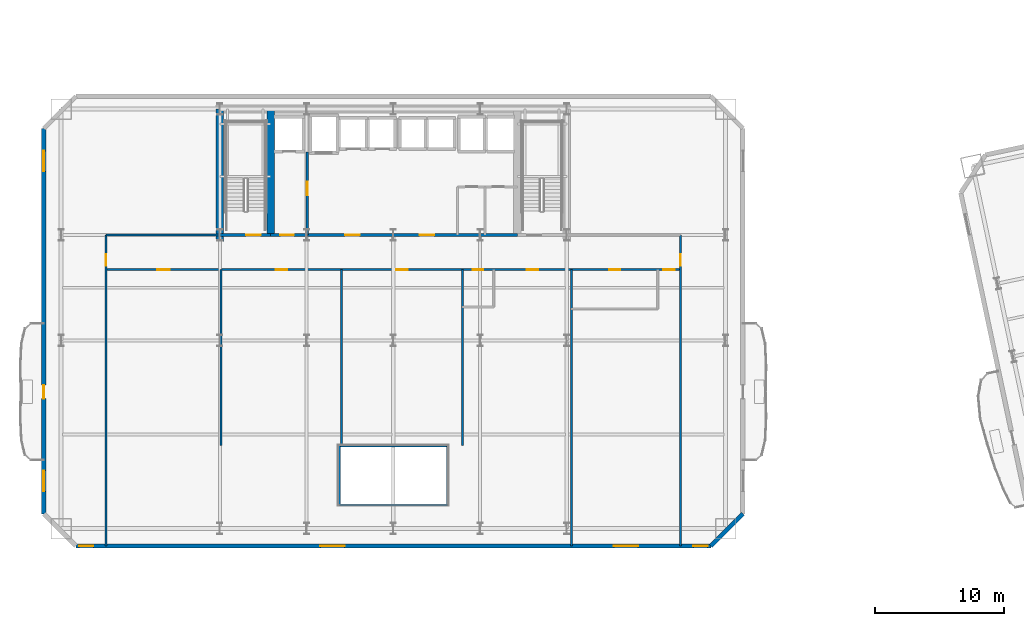
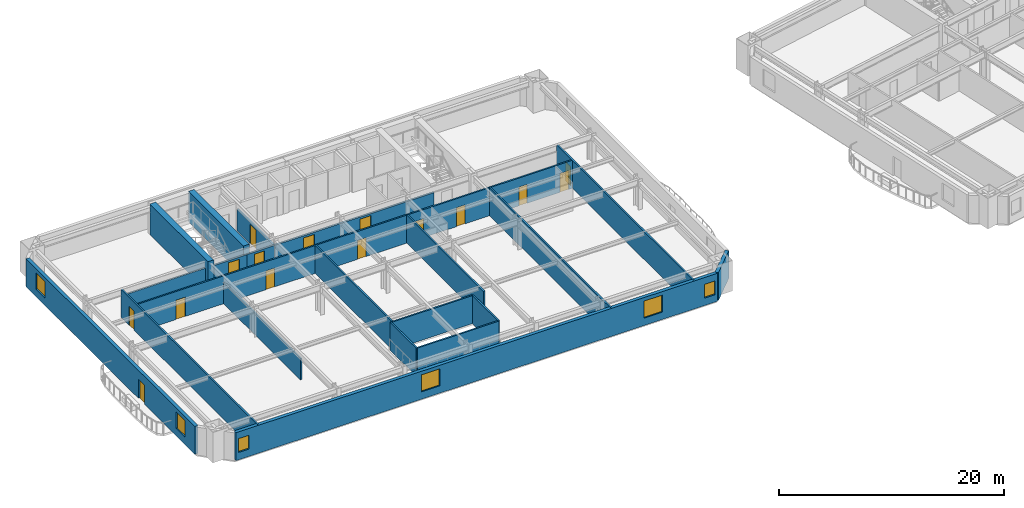
# One storey, part 5 of 16: 21 walls, 15 doors, 6 windows, 21 openings.
"""IFC4 building model written with IfcOpenShell, lengths in metres."""

from ifc_helpers import new_model, si_unit, direction, frame, frame_2d, origin, place, context, subcontext, project, spatial, rectangle, extrude, material, layer, layer_set, type_object, element, fill, save


model = new_model("IFC4")

# Units and contexts
model_context = context("Model", 3, precision=1e-05, world=origin(), true_north=direction((0.0, 1.0)))
body_context = subcontext(model_context, "Body", "Model", "MODEL_VIEW")
ifc_project = project(units=[si_unit("LENGTHUNIT", "METRE"), si_unit("AREAUNIT", "SQUARE_METRE"), si_unit("VOLUMEUNIT", "CUBIC_METRE"), si_unit("PLANEANGLEUNIT", "RADIAN"), si_unit("MASSUNIT", "GRAM", prefix="KILO")], contexts=[model_context])

# Site, building, storey
site_placement = place(None, origin())
site = spatial("IfcSite", under=ifc_project, at=site_placement, CompositionType="ELEMENT")
building_placement = place(site_placement, origin())
building = spatial("IfcBuilding", under=site, at=building_placement, Name="Haevon Station Towers", CompositionType="ELEMENT")
storey_placement = place(building_placement, frame((0.0, 0.0, 43.800048828125)))
storey = spatial("IfcBuildingStorey", under=building, at=storey_placement, Name="L10", CompositionType="ELEMENT", Elevation=43.800048828125)

# Wall, opening, door
ifc_material_1 = material(Name="Gypsum board on steel stud", Category="steel")
ifc_layer_1 = layer(ifc_material_1, 0.199951171875)
ifc_layer_set_1 = layer_set([ifc_layer_1], Name="Gypsum board on steel stud")
wall_type_1 = type_object("IfcWallType", Name="WL-COR200", PredefinedType="PARTITIONING", material=ifc_layer_set_1)
wall_1_placement = place(storey_placement, frame((24.0, 38.199951171875, 0.0), z_axis=(0.0, 0.0, 1.0), x_axis=(1.0, 0.0, 0.0)))
wall_1 = element("IfcWall", 1, at=wall_1_placement, inside=storey, type_object=wall_type_1, Name="WL-ST-ST1-L10", PredefinedType="PARTITIONING", context=body_context, shape_type="SweptSolid", body=[
    extrude(rectangle(XDim=3.949951171875, YDim=0.199951171875, at=frame_2d((1.97509765625, 0.0))), origin(), (0.0, 0.0, 1.0), 2.329833984375),
])
opening_1_placement = place(wall_1_placement, frame((2.050048828125, 0.0, 0.0)))
opening_1 = element("IfcOpeningElement", 2, at=opening_1_placement, cuts=wall_1, Name="Opening DR-ST-ST1-L10", PredefinedType="OPENING", context=body_context, shape_type="SweptSolid", body=[
    extrude(rectangle(XDim=1.1201171875, YDim=2.10009765625, at=frame_2d((0.56005859375, 1.050048828125))), frame((0.0, 0.10986328125, 0.0), z_axis=(0.0, -1.0, 0.0), x_axis=(1.0, 0.0, 0.0)), (0.0, 0.0, 1.0), 0.219970703125),
])
ifc_material_2 = material(Name="Engineered oak timber", Category="wood")
door_type_1 = type_object("IfcDoorType", Name="DR-ST-1120", OperationType="NOTDEFINED", PredefinedType="DOOR", material=ifc_material_2)
door_1_placement = place(opening_1_placement, origin())
door_1 = element("IfcDoor", 3, at=door_1_placement, inside=storey, type_object=door_type_1, Name="L10 Escape Stair ST1 Fire Door", OperationType="SINGLE_SWING_RIGHT", OverallHeight=2.10009765625, OverallWidth=1.1201171875, PredefinedType="DOOR", context=body_context, shape_type="SweptSolid", body=[
    extrude(rectangle(XDim=1.1201171875, YDim=2.10009765625, at=frame_2d((0.56005859375, 1.050048828125))), frame((0.0, 0.02490234375, 0.0), z_axis=(0.0, -1.0, 0.0), x_axis=(1.0, 0.0, 0.0)), (0.0, 0.0, 1.0), 0.050048828125),
])
fill(opening_1, door_1)

wall_2_placement = place(storey_placement, frame((30.800048828125, 38.199951171875, 0.0), z_axis=(0.0, 0.0, 1.0), x_axis=(0.0, 1.0, 0.0)))
wall_2 = element("IfcWall", 4, at=wall_2_placement, inside=storey, type_object=wall_type_1, Name="WL-T1FFL-L10-E", PredefinedType="PARTITIONING", context=body_context, shape_type="SweptSolid", body=[
    extrude(rectangle(XDim=6.449951171875, YDim=0.199951171875, at=frame_2d((3.22509765625, 0.0))), origin(), (0.0, 0.0, 1.0), 2.329833984375),
])
opening_2_placement = place(wall_2_placement, frame((3.10009765625, 0.0, 0.0)))
opening_2 = element("IfcOpeningElement", 5, at=opening_2_placement, cuts=wall_2, Name="Opening DR-T1FFL-L10-E", PredefinedType="OPENING", context=body_context, shape_type="SweptSolid", body=[
    extrude(rectangle(XDim=1.050048828125, YDim=2.10009765625, at=frame_2d((0.52490234375, 1.050048828125))), frame((0.0, 0.10986328125, 0.0), z_axis=(0.0, -1.0, 0.0), x_axis=(1.0, 0.0, 0.0)), (0.0, 0.0, 1.0), 0.219970703125),
])
door_type_2 = type_object("IfcDoorType", Name="DR-FD60-1050", OperationType="NOTDEFINED", PredefinedType="DOOR", material=ifc_material_2)
door_2_placement = place(opening_2_placement, origin())
door_2 = element("IfcDoor", 6, at=door_2_placement, inside=storey, type_object=door_type_2, Name="L10 Tower 1 Firefighting Lift Lobby Door E", OperationType="SINGLE_SWING_RIGHT", OverallHeight=2.10009765625, OverallWidth=1.050048828125, PredefinedType="DOOR", context=body_context, shape_type="SweptSolid", body=[
    extrude(rectangle(XDim=1.050048828125, YDim=2.10009765625, at=frame_2d((0.52490234375, 1.050048828125))), frame((0.0, 0.02490234375, 0.0), z_axis=(0.0, -1.0, 0.0), x_axis=(1.0, 0.0, 0.0)), (0.0, 0.0, 1.0), 0.050048828125),
])
fill(opening_2, door_2)

wall_3_placement = place(storey_placement, frame((27.949951171875, 38.199951171875, 0.0), z_axis=(0.0, 0.0, 1.0), x_axis=(1.0, 0.0, 0.0)))
wall_3 = element("IfcWall", 7, at=wall_3_placement, inside=storey, type_object=wall_type_1, Name="WL-T1FFL-L10-S", PredefinedType="PARTITIONING", context=body_context, shape_type="SweptSolid", body=[
    extrude(rectangle(XDim=2.85009765625, YDim=0.199951171875, at=frame_2d((1.425048828125, 0.0))), origin(), (0.0, 0.0, 1.0), 2.329833984375),
])
opening_3_placement = place(wall_3_placement, frame((0.75, 0.0, 0.0)))
opening_3 = element("IfcOpeningElement", 8, at=opening_3_placement, cuts=wall_3, Name="Opening DR-T1FFL-L10-S", PredefinedType="OPENING", context=body_context, shape_type="SweptSolid", body=[
    extrude(rectangle(XDim=1.050048828125, YDim=2.10009765625, at=frame_2d((0.52490234375, 1.050048828125))), frame((0.0, 0.10986328125, 0.0), z_axis=(0.0, -1.0, 0.0), x_axis=(1.0, 0.0, 0.0)), (0.0, 0.0, 1.0), 0.219970703125),
])
door_3_placement = place(opening_3_placement, origin())
door_3 = element("IfcDoor", 9, at=door_3_placement, inside=storey, type_object=door_type_2, Name="L10 Tower 1 Firefighting Lift Lobby Door S", OperationType="SINGLE_SWING_LEFT", OverallHeight=2.10009765625, OverallWidth=1.050048828125, PredefinedType="DOOR", context=body_context, shape_type="SweptSolid", body=[
    extrude(rectangle(XDim=1.050048828125, YDim=2.10009765625, at=frame_2d((0.52490234375, 1.050048828125))), frame((0.0, 0.02490234375, 0.0), z_axis=(0.0, -1.0, 0.0), x_axis=(1.0, 0.0, 0.0)), (0.0, 0.0, 1.0), 0.050048828125),
])
fill(opening_3, door_3)

# Wall, openings, doors
wall_4_placement = place(storey_placement, frame((30.800048828125, 38.199951171875, 0.0), z_axis=(0.0, 0.0, 1.0), x_axis=(1.0, 0.0, 0.0)))
wall_4 = element("IfcWall", 10, at=wall_4_placement, inside=storey, type_object=wall_type_1, Name="WL-T1CLB-L10", PredefinedType="PARTITIONING", context=body_context, shape_type="SweptSolid", body=[
    extrude(rectangle(XDim=16.349853515625, YDim=0.199951171875, at=frame_2d((8.1748046875, 0.0))), origin(), (0.0, 0.0, 1.0), 2.329833984375),
])
opening_4_placement = place(wall_4_placement, frame((2.949951171875, 0.0, 0.0)))
opening_4 = element("IfcOpeningElement", 11, at=opening_4_placement, cuts=wall_4, Name="Opening DR-T1CLB-L10-1", PredefinedType="OPENING", context=body_context, shape_type="SweptSolid", body=[
    extrude(rectangle(XDim=1.1201171875, YDim=2.10009765625, at=frame_2d((0.56005859375, 1.050048828125))), frame((0.0, 0.10986328125, 0.0), z_axis=(0.0, -1.0, 0.0), x_axis=(1.0, 0.0, 0.0)), (0.0, 0.0, 1.0), 0.219970703125),
])
opening_5_placement = place(wall_4_placement, frame((8.75, 0.0, 0.0)))
opening_5 = element("IfcOpeningElement", 12, at=opening_5_placement, cuts=wall_4, Name="Opening DR-T1CLB-L10-2", PredefinedType="OPENING", context=body_context, shape_type="SweptSolid", body=[
    extrude(rectangle(XDim=1.1201171875, YDim=2.10009765625, at=frame_2d((0.56005859375, 1.050048828125))), frame((0.0, 0.10986328125, 0.0), z_axis=(0.0, -1.0, 0.0), x_axis=(1.0, 0.0, 0.0)), (0.0, 0.0, 1.0), 0.219970703125),
])
door_4_placement = place(opening_4_placement, origin())
door_4 = element("IfcDoor", 13, at=door_4_placement, inside=storey, type_object=door_type_1, Name="L10 Tower 1 Core Lift Lobby Door 1", OperationType="SINGLE_SWING_RIGHT", OverallHeight=2.10009765625, OverallWidth=1.1201171875, PredefinedType="DOOR", context=body_context, shape_type="SweptSolid", body=[
    extrude(rectangle(XDim=1.1201171875, YDim=2.10009765625, at=frame_2d((0.56005859375, 1.050048828125))), frame((0.0, 0.02490234375, 0.0), z_axis=(0.0, -1.0, 0.0), x_axis=(1.0, 0.0, 0.0)), (0.0, 0.0, 1.0), 0.050048828125),
])
fill(opening_4, door_4)
door_5_placement = place(opening_5_placement, origin())
door_5 = element("IfcDoor", 14, at=door_5_placement, inside=storey, type_object=door_type_1, Name="L10 Tower 1 Core Lift Lobby Door 2", OperationType="SINGLE_SWING_LEFT", OverallHeight=2.10009765625, OverallWidth=1.1201171875, PredefinedType="DOOR", context=body_context, shape_type="SweptSolid", body=[
    extrude(rectangle(XDim=1.1201171875, YDim=2.10009765625, at=frame_2d((0.56005859375, 1.050048828125))), frame((0.0, 0.02490234375, 0.0), z_axis=(0.0, -1.0, 0.0), x_axis=(1.0, 0.0, 0.0)), (0.0, 0.0, 1.0), 0.050048828125),
])
fill(opening_5, door_5)

# Walls
ifc_material_3 = material(Name="Concrete C60/75", Category="concrete")
ifc_layer_2 = layer(ifc_material_3, 0.60009765625)
ifc_layer_set_2 = layer_set([ifc_layer_2], Name="Concrete C60/75")
wall_type_2 = type_object("IfcWallType", Name="WL-CR600", PredefinedType="SHEAR", material=ifc_layer_set_2)
wall_5_placement = place(storey_placement, frame((24.0, 37.679931640625, 0.0), z_axis=(0.0, 0.0, 1.0), x_axis=(0.0, 1.0, 0.0)))
element("IfcWall", 15, at=wall_5_placement, inside=storey, type_object=wall_type_2, Name="WL-T1CR-L10-W", PredefinedType="SHEAR", context=body_context, shape_type="SweptSolid", body=[
    extrude(rectangle(XDim=10.320068359375, YDim=0.60009765625, at=frame_2d((5.16015625, 0.0))), origin(), (0.0, 0.0, 1.0), 3.300048828125),
])
wall_6_placement = place(storey_placement, frame((27.949951171875, 38.199951171875, 0.0), z_axis=(0.0, 0.0, 1.0), x_axis=(0.0, 1.0, 0.0)))
element("IfcWall", 16, at=wall_6_placement, inside=storey, type_object=wall_type_2, Name="WL-T1CR-L10-M1", PredefinedType="SHEAR", context=body_context, shape_type="SweptSolid", body=[
    extrude(rectangle(XDim=9.800048828125, YDim=0.60009765625, at=frame_2d((4.89990234375, 0.0))), origin(), (0.0, 0.0, 1.0), 3.300048828125),
])

# Wall, openings, windows
ifc_material_4 = material(Name="Precast concrete C45/55", Category="concrete")
ifc_layer_3 = layer(ifc_material_4, 0.340087890625)
ifc_layer_set_3 = layer_set([ifc_layer_3], Name="Precast concrete C45/55")
wall_type_3 = type_object("IfcWallType", Name="WL-EXT-PIER340", PredefinedType="SOLIDWALL", material=ifc_layer_set_3)
wall_7_placement = place(storey_placement, frame((62.199951171875, 14.0, 0.0), z_axis=(0.0, 0.0, 1.0), x_axis=(-1.0, 0.0, 0.0)))
wall_7 = element("IfcWall", 17, at=wall_7_placement, inside=storey, type_object=wall_type_3, Name="WL-T1-L10-S", PredefinedType="SOLIDWALL", context=body_context, shape_type="SweptSolid", body=[
    extrude(rectangle(XDim=49.39990234375, YDim=0.340087890625, at=frame_2d((24.699951171875, 0.0))), origin(), (0.0, 0.0, 1.0), 3.030029296875),
])
opening_6_placement = place(wall_7_placement, frame((48.050048828125, 0.0, 0.800048828125)))
opening_6 = element("IfcOpeningElement", 18, at=opening_6_placement, cuts=wall_7, Name="Opening WN-COR110", PredefinedType="OPENING", context=body_context, shape_type="SweptSolid", body=[
    extrude(rectangle(XDim=1.10009765625, YDim=1.5, at=frame_2d((0.550048828125, 0.75))), frame((0.0, 0.179931640625, 0.0), z_axis=(0.0, -1.0, 0.0), x_axis=(1.0, 0.0, 0.0)), (0.0, 0.0, 1.0), 0.360107421875),
])
opening_7_placement = place(wall_7_placement, frame((0.25, 0.0, 0.800048828125)))
opening_7 = element("IfcOpeningElement", 19, at=opening_7_placement, cuts=wall_7, Name="Opening WN-COR110", PredefinedType="OPENING", context=body_context, shape_type="SweptSolid", body=[
    extrude(rectangle(XDim=1.10009765625, YDim=1.5, at=frame_2d((0.550048828125, 0.75))), frame((0.0, 0.179931640625, 0.0), z_axis=(0.0, -1.0, 0.0), x_axis=(1.0, 0.0, 0.0)), (0.0, 0.0, 1.0), 0.360107421875),
])
opening_8_placement = place(wall_7_placement, frame((28.48486328125, 0.0, 0.800048828125)))
opening_8 = element("IfcOpeningElement", 20, at=opening_8_placement, cuts=wall_7, Name="Opening WN-P190", PredefinedType="OPENING", context=body_context, shape_type="SweptSolid", body=[
    extrude(rectangle(XDim=1.89990234375, YDim=1.85009765625, at=frame_2d((0.949951171875, 0.925048828125))), frame((0.0, 0.179931640625, 0.0), z_axis=(0.0, -1.0, 0.0), x_axis=(1.0, 0.0, 0.0)), (0.0, 0.0, 1.0), 0.360107421875),
])
opening_9_placement = place(wall_7_placement, frame((5.646484375, 0.0, 0.800048828125)))
opening_9 = element("IfcOpeningElement", 21, at=opening_9_placement, cuts=wall_7, Name="Opening WN-P190", PredefinedType="OPENING", context=body_context, shape_type="SweptSolid", body=[
    extrude(rectangle(XDim=1.89990234375, YDim=1.85009765625, at=frame_2d((0.949951171875, 0.925048828125))), frame((0.0, 0.179931640625, 0.0), z_axis=(0.0, -1.0, 0.0), x_axis=(1.0, 0.0, 0.0)), (0.0, 0.0, 1.0), 0.360107421875),
])
ifc_material_5 = material(Name="Low-E triple glazing in thermally broken aluminium", Category="aluminium")
window_type_1 = type_object("IfcWindowType", Name="WN-COR110", PartitioningType="SINGLE_PANEL", PredefinedType="WINDOW", material=ifc_material_5)
window_1_placement = place(opening_6_placement, origin())
window_1 = element("IfcWindow", 22, at=window_1_placement, inside=storey, type_object=window_type_1, Name="WN-T1-L10-S01", OverallHeight=1.5, OverallWidth=1.10009765625, PartitioningType="SINGLE_PANEL", PredefinedType="WINDOW", context=body_context, shape_type="SweptSolid", body=[
    extrude(rectangle(XDim=1.10009765625, YDim=1.5, at=frame_2d((0.550048828125, 0.75))), frame((0.0, 0.030029296875, 0.0), z_axis=(0.0, -1.0, 0.0), x_axis=(1.0, 0.0, 0.0)), (0.0, 0.0, 1.0), 0.06005859375),
])
fill(opening_6, window_1)
window_2_placement = place(opening_7_placement, origin())
window_2 = element("IfcWindow", 23, at=window_2_placement, inside=storey, type_object=window_type_1, Name="WN-T1-L10-S02", OverallHeight=1.5, OverallWidth=1.10009765625, PartitioningType="SINGLE_PANEL", PredefinedType="WINDOW", context=body_context, shape_type="SweptSolid", body=[
    extrude(rectangle(XDim=1.10009765625, YDim=1.5, at=frame_2d((0.550048828125, 0.75))), frame((0.0, 0.030029296875, 0.0), z_axis=(0.0, -1.0, 0.0), x_axis=(1.0, 0.0, 0.0)), (0.0, 0.0, 1.0), 0.06005859375),
])
fill(opening_7, window_2)
window_type_2 = type_object("IfcWindowType", Name="WN-P190", PartitioningType="SINGLE_PANEL", PredefinedType="WINDOW", material=ifc_material_5)
window_3_placement = place(opening_8_placement, origin())
window_3 = element("IfcWindow", 24, at=window_3_placement, inside=storey, type_object=window_type_2, Name="WN-T1-L10-S03", OverallHeight=1.85009765625, OverallWidth=1.89990234375, PartitioningType="SINGLE_PANEL", PredefinedType="WINDOW", context=body_context, shape_type="SweptSolid", body=[
    extrude(rectangle(XDim=1.89990234375, YDim=1.85009765625, at=frame_2d((0.949951171875, 0.925048828125))), frame((0.0, 0.030029296875, 0.0), z_axis=(0.0, -1.0, 0.0), x_axis=(1.0, 0.0, 0.0)), (0.0, 0.0, 1.0), 0.06005859375),
])
fill(opening_8, window_3)
window_4_placement = place(opening_9_placement, origin())
window_4 = element("IfcWindow", 25, at=window_4_placement, inside=storey, type_object=window_type_2, Name="WN-T1-L10-S04", OverallHeight=1.85009765625, OverallWidth=1.89990234375, PartitioningType="SINGLE_PANEL", PredefinedType="WINDOW", context=body_context, shape_type="SweptSolid", body=[
    extrude(rectangle(XDim=1.89990234375, YDim=1.85009765625, at=frame_2d((0.949951171875, 0.925048828125))), frame((0.0, 0.030029296875, 0.0), z_axis=(0.0, -1.0, 0.0), x_axis=(1.0, 0.0, 0.0)), (0.0, 0.0, 1.0), 0.06005859375),
])
fill(opening_9, window_4)

# Wall, openings, door, windows
wall_8_placement = place(storey_placement, frame((10.300048828125, 16.5, 0.0), z_axis=(0.0, 0.0, 1.0), x_axis=(0.0, 1.0, 0.0)))
wall_8 = element("IfcWall", 26, at=wall_8_placement, inside=storey, type_object=wall_type_3, Name="WL-T1-L10-W", PredefinedType="SOLIDWALL", context=body_context, shape_type="SweptSolid", body=[
    extrude(rectangle(XDim=30.0, YDim=0.340087890625, at=frame_2d((15.0, 0.0))), origin(), (0.0, 0.0, 1.0), 3.030029296875),
])
opening_10_placement = place(wall_8_placement, frame((8.97509765625, 0.0, 0.0)))
opening_10 = element("IfcOpeningElement", 27, at=opening_10_placement, cuts=wall_8, Name="Opening DR-T1-SCAL-L10-W", PredefinedType="OPENING", context=body_context, shape_type="SweptSolid", body=[
    extrude(rectangle(XDim=1.050048828125, YDim=2.10009765625, at=frame_2d((0.52490234375, 1.050048828125))), frame((0.0, 0.179931640625, 0.0), z_axis=(0.0, -1.0, 0.0), x_axis=(1.0, 0.0, 0.0)), (0.0, 0.0, 1.0), 0.360107421875),
])
opening_11_placement = place(wall_8_placement, frame((1.757080078125, 0.0, 0.800048828125)))
opening_11 = element("IfcOpeningElement", 28, at=opening_11_placement, cuts=wall_8, Name="Opening WN-END160", PredefinedType="OPENING", context=body_context, shape_type="SweptSolid", body=[
    extrude(rectangle(XDim=1.60009765625, YDim=1.800048828125, at=frame_2d((0.800048828125, 0.89990234375))), frame((0.0, 0.179931640625, 0.0), z_axis=(0.0, -1.0, 0.0), x_axis=(1.0, 0.0, 0.0)), (0.0, 0.0, 1.0), 0.360107421875),
])
opening_12_placement = place(wall_8_placement, frame((26.642822265625, 0.0, 0.800048828125)))
opening_12 = element("IfcOpeningElement", 29, at=opening_12_placement, cuts=wall_8, Name="Opening WN-END160", PredefinedType="OPENING", context=body_context, shape_type="SweptSolid", body=[
    extrude(rectangle(XDim=1.60009765625, YDim=1.800048828125, at=frame_2d((0.800048828125, 0.89990234375))), frame((0.0, 0.179931640625, 0.0), z_axis=(0.0, -1.0, 0.0), x_axis=(1.0, 0.0, 0.0)), (0.0, 0.0, 1.0), 0.360107421875),
])
ifc_material_6 = material(Name="Thermally broken anodised aluminium and laminated safety glass", Category="aluminium")
door_type_3 = type_object("IfcDoorType", Name="DR-BALC-1050", OperationType="NOTDEFINED", PredefinedType="DOOR", material=ifc_material_6)
door_6_placement = place(opening_10_placement, origin())
door_6 = element("IfcDoor", 30, at=door_6_placement, inside=storey, type_object=door_type_3, Name="Tower 1 L10 West Scalloped Balcony Door", OperationType="SINGLE_SWING_LEFT", OverallHeight=2.10009765625, OverallWidth=1.050048828125, PredefinedType="DOOR", context=body_context, shape_type="SweptSolid", body=[
    extrude(rectangle(XDim=1.050048828125, YDim=2.10009765625, at=frame_2d((0.52490234375, 1.050048828125))), frame((0.0, 0.02490234375, 0.0), z_axis=(0.0, -1.0, 0.0), x_axis=(1.0, 0.0, 0.0)), (0.0, 0.0, 1.0), 0.050048828125),
])
fill(opening_10, door_6)
window_type_3 = type_object("IfcWindowType", Name="WN-END160", PartitioningType="SINGLE_PANEL", PredefinedType="WINDOW", material=ifc_material_5)
window_5_placement = place(opening_11_placement, origin())
window_5 = element("IfcWindow", 31, at=window_5_placement, inside=storey, type_object=window_type_3, Name="WN-T1-L10-W01", OverallHeight=1.800048828125, OverallWidth=1.60009765625, PartitioningType="SINGLE_PANEL", PredefinedType="WINDOW", context=body_context, shape_type="SweptSolid", body=[
    extrude(rectangle(XDim=1.60009765625, YDim=1.800048828125, at=frame_2d((0.800048828125, 0.89990234375))), frame((0.0, 0.030029296875, 0.0), z_axis=(0.0, -1.0, 0.0), x_axis=(1.0, 0.0, 0.0)), (0.0, 0.0, 1.0), 0.06005859375),
])
fill(opening_11, window_5)
window_6_placement = place(opening_12_placement, origin())
window_6 = element("IfcWindow", 32, at=window_6_placement, inside=storey, type_object=window_type_3, Name="WN-T1-L10-W02", OverallHeight=1.800048828125, OverallWidth=1.60009765625, PartitioningType="SINGLE_PANEL", PredefinedType="WINDOW", context=body_context, shape_type="SweptSolid", body=[
    extrude(rectangle(XDim=1.60009765625, YDim=1.800048828125, at=frame_2d((0.800048828125, 0.89990234375))), frame((0.0, 0.030029296875, 0.0), z_axis=(0.0, -1.0, 0.0), x_axis=(1.0, 0.0, 0.0)), (0.0, 0.0, 1.0), 0.06005859375),
])
fill(opening_12, window_6)

# Walls
wall_9_placement = place(storey_placement, frame((64.699951171875, 16.5, 0.0), z_axis=(0.0, 0.0, 1.0), x_axis=(-0.707106781187, -0.707106781187, 0.0)))
element("IfcWall", 33, at=wall_9_placement, inside=storey, type_object=wall_type_3, Name="WL-T1-L10-SEC", PredefinedType="SOLIDWALL", context=body_context, shape_type="SweptSolid", body=[
    extrude(rectangle(XDim=3.53564453125, YDim=0.340087890625, at=frame_2d((1.767822265625, 0.0))), origin(), (0.0, 0.0, 1.0), 3.030029296875),
])
ifc_layer_4 = layer(ifc_material_1, 0.159912109375)
ifc_layer_set_4 = layer_set([ifc_layer_4], Name="Gypsum board on steel stud")
wall_type_4 = type_object("IfcWallType", Name="WL-PRT160", PredefinedType="PARTITIONING", material=ifc_layer_set_4)
wall_10_placement = place(storey_placement, frame((15.14990234375, 38.199951171875, 0.0), z_axis=(0.0, 0.0, 1.0), x_axis=(1.0, 0.0, 0.0)))
element("IfcWall", 34, at=wall_10_placement, inside=storey, type_object=wall_type_4, Name="WL-T1PT-L10-01", PredefinedType="PARTITIONING", context=body_context, shape_type="SweptSolid", body=[
    extrude(rectangle(XDim=8.85009765625, YDim=0.159912109375, at=frame_2d((4.425048828125, 0.0))), origin(), (0.0, 0.0, 1.0), 2.329833984375),
])

# Wall, opening, door
wall_11_placement = place(storey_placement, frame((15.14990234375, 14.0, 0.0), z_axis=(0.0, 0.0, 1.0), x_axis=(0.0, 1.0, 0.0)))
wall_11 = element("IfcWall", 35, at=wall_11_placement, inside=storey, type_object=wall_type_4, Name="WL-T1PT-L10-03", PredefinedType="PARTITIONING", context=body_context, shape_type="SweptSolid", body=[
    extrude(rectangle(XDim=24.199951171875, YDim=0.159912109375, at=frame_2d((12.10009765625, 0.0))), origin(), (0.0, 0.0, 1.0), 3.030029296875),
])
opening_13_placement = place(wall_11_placement, frame((21.820068359375, 0.0, 0.0)))
opening_13 = element("IfcOpeningElement", 36, at=opening_13_placement, cuts=wall_11, Name="Opening DR-WL-T1PT-L10-03-01", PredefinedType="OPENING", context=body_context, shape_type="SweptSolid", body=[
    extrude(rectangle(XDim=0.89990234375, YDim=2.050048828125, at=frame_2d((0.449951171875, 1.02490234375))), frame((0.0, 0.08984375, 0.0), z_axis=(0.0, -1.0, 0.0), x_axis=(1.0, 0.0, 0.0)), (0.0, 0.0, 1.0), 0.179931640625),
])
door_type_4 = type_object("IfcDoorType", Name="DR-INT-900", OperationType="NOTDEFINED", PredefinedType="DOOR", material=ifc_material_2)
door_7_placement = place(opening_13_placement, origin())
door_7 = element("IfcDoor", 37, at=door_7_placement, inside=storey, type_object=door_type_4, Name="L10 Tower 1 Room Door 3-1", OperationType="SINGLE_SWING_RIGHT", OverallHeight=2.050048828125, OverallWidth=0.89990234375, PredefinedType="DOOR", context=body_context, shape_type="SweptSolid", body=[
    extrude(rectangle(XDim=0.89990234375, YDim=2.050048828125, at=frame_2d((0.449951171875, 1.02490234375))), frame((0.0, 0.02490234375, 0.0), z_axis=(0.0, -1.0, 0.0), x_axis=(1.0, 0.0, 0.0)), (0.0, 0.0, 1.0), 0.050048828125),
])
fill(opening_13, door_7)

wall_12_placement = place(storey_placement, frame((59.85009765625, 14.0, 0.0), z_axis=(0.0, 0.0, 1.0), x_axis=(0.0, 1.0, 0.0)))
wall_12 = element("IfcWall", 38, at=wall_12_placement, inside=storey, type_object=wall_type_4, Name="WL-T1PT-L10-04", PredefinedType="PARTITIONING", context=body_context, shape_type="SweptSolid", body=[
    extrude(rectangle(XDim=24.199951171875, YDim=0.159912109375, at=frame_2d((12.10009765625, 0.0))), origin(), (0.0, 0.0, 1.0), 3.030029296875),
])
opening_14_placement = place(wall_12_placement, frame((21.820068359375, 0.0, 0.0)))
opening_14 = element("IfcOpeningElement", 39, at=opening_14_placement, cuts=wall_12, Name="Opening DR-WL-T1PT-L10-04-01", PredefinedType="OPENING", context=body_context, shape_type="SweptSolid", body=[
    extrude(rectangle(XDim=0.89990234375, YDim=2.050048828125, at=frame_2d((0.449951171875, 1.02490234375))), frame((0.0, 0.08984375, 0.0), z_axis=(0.0, -1.0, 0.0), x_axis=(1.0, 0.0, 0.0)), (0.0, 0.0, 1.0), 0.179931640625),
])
door_8_placement = place(opening_14_placement, origin())
door_8 = element("IfcDoor", 40, at=door_8_placement, inside=storey, type_object=door_type_4, Name="L10 Tower 1 Room Door 4-1", OperationType="SINGLE_SWING_LEFT", OverallHeight=2.050048828125, OverallWidth=0.89990234375, PredefinedType="DOOR", context=body_context, shape_type="SweptSolid", body=[
    extrude(rectangle(XDim=0.89990234375, YDim=2.050048828125, at=frame_2d((0.449951171875, 1.02490234375))), frame((0.0, 0.02490234375, 0.0), z_axis=(0.0, -1.0, 0.0), x_axis=(1.0, 0.0, 0.0)), (0.0, 0.0, 1.0), 0.050048828125),
])
fill(opening_14, door_8)

# Walls
for number, where, z_axis, x_axis, name in (
    (41, (33.300048828125, 17.199951171875, 0.0), (0.0, 0.0, 1.0), (1.0, 0.0, 0.0), "WL-T1PT-L10-05"),
    (42, (33.300048828125, 21.800048828125, 0.0), (0.0, 0.0, 1.0), (1.0, 0.0, 0.0), "WL-T1PT-L10-06"),
):
    element("IfcWall", number, at=place(storey_placement, frame(where, z_axis=z_axis, x_axis=x_axis)), inside=storey, type_object=wall_type_4, Name=name, PredefinedType="PARTITIONING", context=body_context, shape_type="SweptSolid", body=[
        extrude(rectangle(XDim=8.39990234375, YDim=0.159912109375, at=frame_2d((4.199951171875, 0.0))), origin(), (0.0, 0.0, 1.0), 3.030029296875),
    ])
for number, where, z_axis, x_axis, name in (
    (43, (33.300048828125, 17.199951171875, 0.0), (0.0, 0.0, 1.0), (0.0, 1.0, 0.0), "WL-T1PT-L10-07"),
    (44, (41.699951171875, 17.199951171875, 0.0), (0.0, 0.0, 1.0), (0.0, 1.0, 0.0), "WL-T1PT-L10-08"),
):
    element("IfcWall", number, at=place(storey_placement, frame(where, z_axis=z_axis, x_axis=x_axis)), inside=storey, type_object=wall_type_4, Name=name, PredefinedType="PARTITIONING", context=body_context, shape_type="SweptSolid", body=[
        extrude(rectangle(XDim=4.60009765625, YDim=0.159912109375, at=frame_2d((2.300048828125, 0.0))), origin(), (0.0, 0.0, 1.0), 3.030029296875),
    ])
wall_13_placement = place(storey_placement, frame((24.090087890625, 21.800048828125, 0.0), z_axis=(0.0, 0.0, 1.0), x_axis=(0.0, 1.0, 0.0)))
element("IfcWall", 45, at=wall_13_placement, inside=storey, type_object=wall_type_4, Name="WL-T1PT-L10-09", PredefinedType="PARTITIONING", context=body_context, shape_type="SweptSolid", body=[
    extrude(rectangle(XDim=13.699951171875, YDim=0.159912109375, at=frame_2d((6.85009765625, 0.0))), origin(), (0.0, 0.0, 1.0), 2.329833984375),
])
for number, where, z_axis, x_axis, name in (
    (46, (33.47705078125, 21.800048828125, 0.0), (0.0, 0.0, 1.0), (0.0, 1.0, 0.0), "WL-T1PT-L10-10"),
    (47, (42.864013671875, 21.800048828125, 0.0), (0.0, 0.0, 1.0), (0.0, 1.0, 0.0), "WL-T1PT-L10-12"),
):
    element("IfcWall", number, at=place(storey_placement, frame(where, z_axis=z_axis, x_axis=x_axis)), inside=storey, type_object=wall_type_4, Name=name, PredefinedType="PARTITIONING", context=body_context, shape_type="SweptSolid", body=[
        extrude(rectangle(XDim=13.699951171875, YDim=0.159912109375, at=frame_2d((6.85009765625, 0.0))), origin(), (0.0, 0.0, 1.0), 3.030029296875),
    ])
wall_14_placement = place(storey_placement, frame((51.35693359375, 14.0, 0.0), z_axis=(0.0, 0.0, 1.0), x_axis=(0.0, 1.0, 0.0)))
element("IfcWall", 48, at=wall_14_placement, inside=storey, type_object=wall_type_4, Name="WL-T1PT-L10-16", PredefinedType="PARTITIONING", context=body_context, shape_type="SweptSolid", body=[
    extrude(rectangle(XDim=21.5, YDim=0.159912109375, at=frame_2d((10.75, 0.0))), origin(), (0.0, 0.0, 1.0), 3.030029296875),
])

# Wall, openings, doors
wall_15_placement = place(storey_placement, frame((15.14990234375, 35.5, 0.0), z_axis=(0.0, 0.0, 1.0), x_axis=(1.0, 0.0, 0.0)))
wall_15 = element("IfcWall", 49, at=wall_15_placement, inside=storey, type_object=wall_type_4, Name="WL-T1PT-L10-19", PredefinedType="PARTITIONING", context=body_context, shape_type="SweptSolid", body=[
    extrude(rectangle(XDim=44.7001953125, YDim=0.159912109375, at=frame_2d((22.35009765625, 0.0))), origin(), (0.0, 0.0, 1.0), 3.030029296875),
])
opening_15_placement = place(wall_15_placement, frame((3.9951171875, 0.0, 0.0)))
opening_15 = element("IfcOpeningElement", 50, at=opening_15_placement, cuts=wall_15, Name="Opening DR-WL-T1PT-L10-19-01", PredefinedType="OPENING", context=body_context, shape_type="SweptSolid", body=[
    extrude(rectangle(XDim=0.949951171875, YDim=2.10009765625, at=frame_2d((0.47509765625, 1.050048828125))), frame((0.0, 0.08984375, 0.0), z_axis=(0.0, -1.0, 0.0), x_axis=(1.0, 0.0, 0.0)), (0.0, 0.0, 1.0), 0.179931640625),
])
opening_16_placement = place(wall_15_placement, frame((13.18310546875, 0.0, 0.0)))
opening_16 = element("IfcOpeningElement", 51, at=opening_16_placement, cuts=wall_15, Name="Opening DR-WL-T1PT-L10-19-02", PredefinedType="OPENING", context=body_context, shape_type="SweptSolid", body=[
    extrude(rectangle(XDim=0.89990234375, YDim=2.050048828125, at=frame_2d((0.449951171875, 1.02490234375))), frame((0.0, 0.08984375, 0.0), z_axis=(0.0, -1.0, 0.0), x_axis=(1.0, 0.0, 0.0)), (0.0, 0.0, 1.0), 0.179931640625),
])
opening_17_placement = place(wall_15_placement, frame((22.570068359375, 0.0, 0.0)))
opening_17 = element("IfcOpeningElement", 52, at=opening_17_placement, cuts=wall_15, Name="Opening DR-WL-T1PT-L10-19-03", PredefinedType="OPENING", context=body_context, shape_type="SweptSolid", body=[
    extrude(rectangle(XDim=0.89990234375, YDim=2.050048828125, at=frame_2d((0.449951171875, 1.02490234375))), frame((0.0, 0.08984375, 0.0), z_axis=(0.0, -1.0, 0.0), x_axis=(1.0, 0.0, 0.0)), (0.0, 0.0, 1.0), 0.179931640625),
])
opening_18_placement = place(wall_15_placement, frame((28.513916015625, 0.0, 0.0)))
opening_18 = element("IfcOpeningElement", 53, at=opening_18_placement, cuts=wall_15, Name="Opening DR-WL-T1PT-L10-19-04", PredefinedType="OPENING", context=body_context, shape_type="SweptSolid", body=[
    extrude(rectangle(XDim=0.85009765625, YDim=2.050048828125, at=frame_2d((0.425048828125, 1.02490234375))), frame((0.0, 0.08984375, 0.0), z_axis=(0.0, -1.0, 0.0), x_axis=(1.0, 0.0, 0.0)), (0.0, 0.0, 1.0), 0.179931640625),
])
opening_19_placement = place(wall_15_placement, frame((32.735107421875, 0.0, 0.0)))
opening_19 = element("IfcOpeningElement", 54, at=opening_19_placement, cuts=wall_15, Name="Opening DR-WL-T1PT-L10-19-05", PredefinedType="OPENING", context=body_context, shape_type="SweptSolid", body=[
    extrude(rectangle(XDim=0.89990234375, YDim=2.050048828125, at=frame_2d((0.449951171875, 1.02490234375))), frame((0.0, 0.08984375, 0.0), z_axis=(0.0, -1.0, 0.0), x_axis=(1.0, 0.0, 0.0)), (0.0, 0.0, 1.0), 0.179931640625),
])
opening_20_placement = place(wall_15_placement, frame((39.138916015625, 0.0, 0.0)))
opening_20 = element("IfcOpeningElement", 55, at=opening_20_placement, cuts=wall_15, Name="Opening DR-WL-T1PT-L10-19-06", PredefinedType="OPENING", context=body_context, shape_type="SweptSolid", body=[
    extrude(rectangle(XDim=0.85009765625, YDim=2.050048828125, at=frame_2d((0.425048828125, 1.02490234375))), frame((0.0, 0.08984375, 0.0), z_axis=(0.0, -1.0, 0.0), x_axis=(1.0, 0.0, 0.0)), (0.0, 0.0, 1.0), 0.179931640625),
])
opening_21_placement = place(wall_15_placement, frame((43.360107421875, 0.0, 0.0)))
opening_21 = element("IfcOpeningElement", 56, at=opening_21_placement, cuts=wall_15, Name="Opening DR-WL-T1PT-L10-19-07", PredefinedType="OPENING", context=body_context, shape_type="SweptSolid", body=[
    extrude(rectangle(XDim=0.89990234375, YDim=2.050048828125, at=frame_2d((0.449951171875, 1.02490234375))), frame((0.0, 0.08984375, 0.0), z_axis=(0.0, -1.0, 0.0), x_axis=(1.0, 0.0, 0.0)), (0.0, 0.0, 1.0), 0.179931640625),
])
door_type_5 = type_object("IfcDoorType", Name="DR-FD30-850", OperationType="NOTDEFINED", PredefinedType="DOOR", material=ifc_material_2)
door_9_placement = place(opening_18_placement, origin())
door_9 = element("IfcDoor", 57, at=door_9_placement, inside=storey, type_object=door_type_5, Name="L10 Tower 1 Room Door 19-4", OperationType="SINGLE_SWING_LEFT", OverallHeight=2.050048828125, OverallWidth=0.85009765625, PredefinedType="DOOR", context=body_context, shape_type="SweptSolid", body=[
    extrude(rectangle(XDim=0.85009765625, YDim=2.050048828125, at=frame_2d((0.425048828125, 1.02490234375))), frame((0.0, 0.02490234375, 0.0), z_axis=(0.0, -1.0, 0.0), x_axis=(1.0, 0.0, 0.0)), (0.0, 0.0, 1.0), 0.050048828125),
])
fill(opening_18, door_9)
door_10_placement = place(opening_20_placement, origin())
door_10 = element("IfcDoor", 58, at=door_10_placement, inside=storey, type_object=door_type_5, Name="L10 Tower 1 Room Door 19-6", OperationType="SINGLE_SWING_LEFT", OverallHeight=2.050048828125, OverallWidth=0.85009765625, PredefinedType="DOOR", context=body_context, shape_type="SweptSolid", body=[
    extrude(rectangle(XDim=0.85009765625, YDim=2.050048828125, at=frame_2d((0.425048828125, 1.02490234375))), frame((0.0, 0.02490234375, 0.0), z_axis=(0.0, -1.0, 0.0), x_axis=(1.0, 0.0, 0.0)), (0.0, 0.0, 1.0), 0.050048828125),
])
fill(opening_20, door_10)
door_type_6 = type_object("IfcDoorType", Name="DR-FD30-950", OperationType="NOTDEFINED", PredefinedType="DOOR", material=ifc_material_2)
door_11_placement = place(opening_15_placement, origin())
door_11 = element("IfcDoor", 59, at=door_11_placement, inside=storey, type_object=door_type_6, Name="L10 Tower 1 Room Door 19-1", OperationType="SINGLE_SWING_RIGHT", OverallHeight=2.10009765625, OverallWidth=0.949951171875, PredefinedType="DOOR", context=body_context, shape_type="SweptSolid", body=[
    extrude(rectangle(XDim=0.949951171875, YDim=2.10009765625, at=frame_2d((0.47509765625, 1.050048828125))), frame((0.0, 0.02490234375, 0.0), z_axis=(0.0, -1.0, 0.0), x_axis=(1.0, 0.0, 0.0)), (0.0, 0.0, 1.0), 0.050048828125),
])
fill(opening_15, door_11)
door_12_placement = place(opening_16_placement, origin())
door_12 = element("IfcDoor", 60, at=door_12_placement, inside=storey, type_object=door_type_4, Name="L10 Tower 1 Room Door 19-2", OperationType="SINGLE_SWING_LEFT", OverallHeight=2.050048828125, OverallWidth=0.89990234375, PredefinedType="DOOR", context=body_context, shape_type="SweptSolid", body=[
    extrude(rectangle(XDim=0.89990234375, YDim=2.050048828125, at=frame_2d((0.449951171875, 1.02490234375))), frame((0.0, 0.02490234375, 0.0), z_axis=(0.0, -1.0, 0.0), x_axis=(1.0, 0.0, 0.0)), (0.0, 0.0, 1.0), 0.050048828125),
])
fill(opening_16, door_12)
door_13_placement = place(opening_17_placement, origin())
door_13 = element("IfcDoor", 61, at=door_13_placement, inside=storey, type_object=door_type_4, Name="L10 Tower 1 Room Door 19-3", OperationType="SINGLE_SWING_RIGHT", OverallHeight=2.050048828125, OverallWidth=0.89990234375, PredefinedType="DOOR", context=body_context, shape_type="SweptSolid", body=[
    extrude(rectangle(XDim=0.89990234375, YDim=2.050048828125, at=frame_2d((0.449951171875, 1.02490234375))), frame((0.0, 0.02490234375, 0.0), z_axis=(0.0, -1.0, 0.0), x_axis=(1.0, 0.0, 0.0)), (0.0, 0.0, 1.0), 0.050048828125),
])
fill(opening_17, door_13)
door_14_placement = place(opening_19_placement, origin())
door_14 = element("IfcDoor", 62, at=door_14_placement, inside=storey, type_object=door_type_4, Name="L10 Tower 1 Room Door 19-5", OperationType="SINGLE_SWING_RIGHT", OverallHeight=2.050048828125, OverallWidth=0.89990234375, PredefinedType="DOOR", context=body_context, shape_type="SweptSolid", body=[
    extrude(rectangle(XDim=0.89990234375, YDim=2.050048828125, at=frame_2d((0.449951171875, 1.02490234375))), frame((0.0, 0.02490234375, 0.0), z_axis=(0.0, -1.0, 0.0), x_axis=(1.0, 0.0, 0.0)), (0.0, 0.0, 1.0), 0.050048828125),
])
fill(opening_19, door_14)
door_15_placement = place(opening_21_placement, origin())
door_15 = element("IfcDoor", 63, at=door_15_placement, inside=storey, type_object=door_type_4, Name="L10 Tower 1 Room Door 19-7", OperationType="SINGLE_SWING_RIGHT", OverallHeight=2.050048828125, OverallWidth=0.89990234375, PredefinedType="DOOR", context=body_context, shape_type="SweptSolid", body=[
    extrude(rectangle(XDim=0.89990234375, YDim=2.050048828125, at=frame_2d((0.449951171875, 1.02490234375))), frame((0.0, 0.02490234375, 0.0), z_axis=(0.0, -1.0, 0.0), x_axis=(1.0, 0.0, 0.0)), (0.0, 0.0, 1.0), 0.050048828125),
])
fill(opening_21, door_15)

save(model, "model.ifc")
